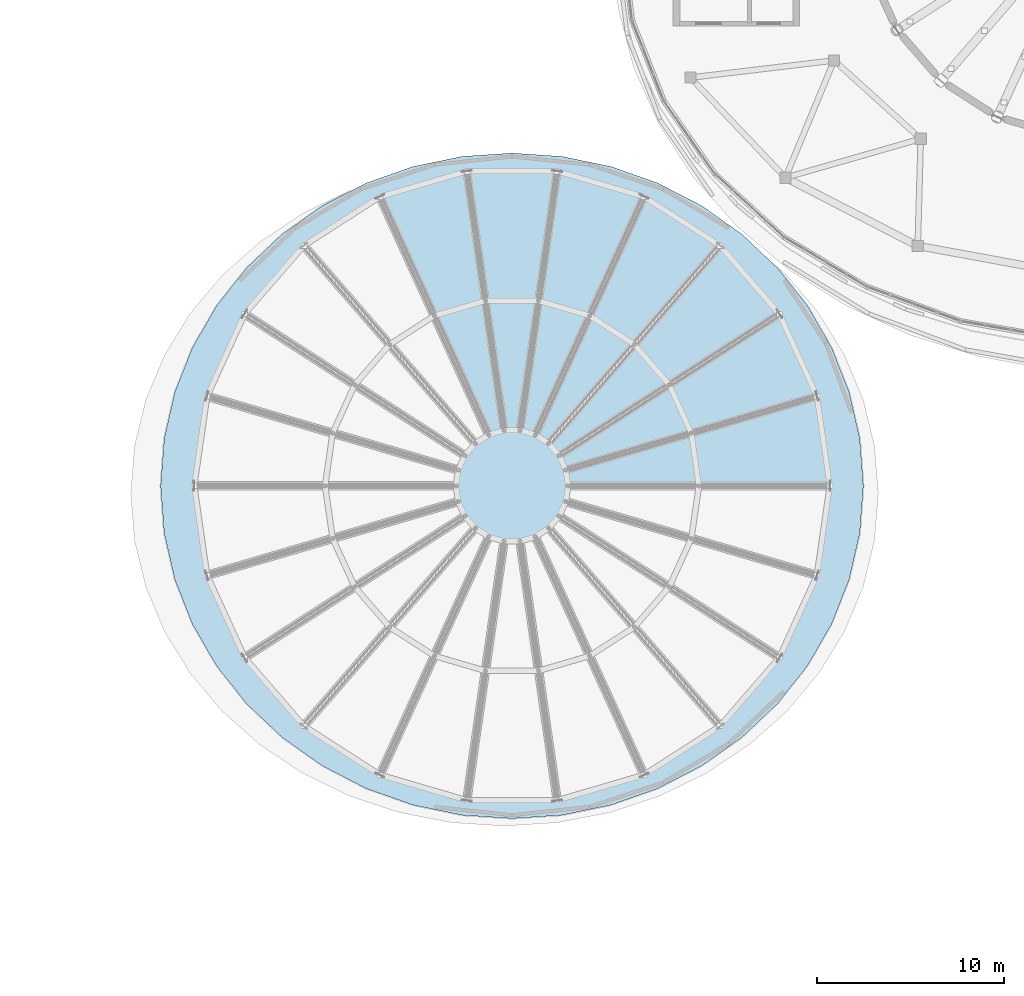
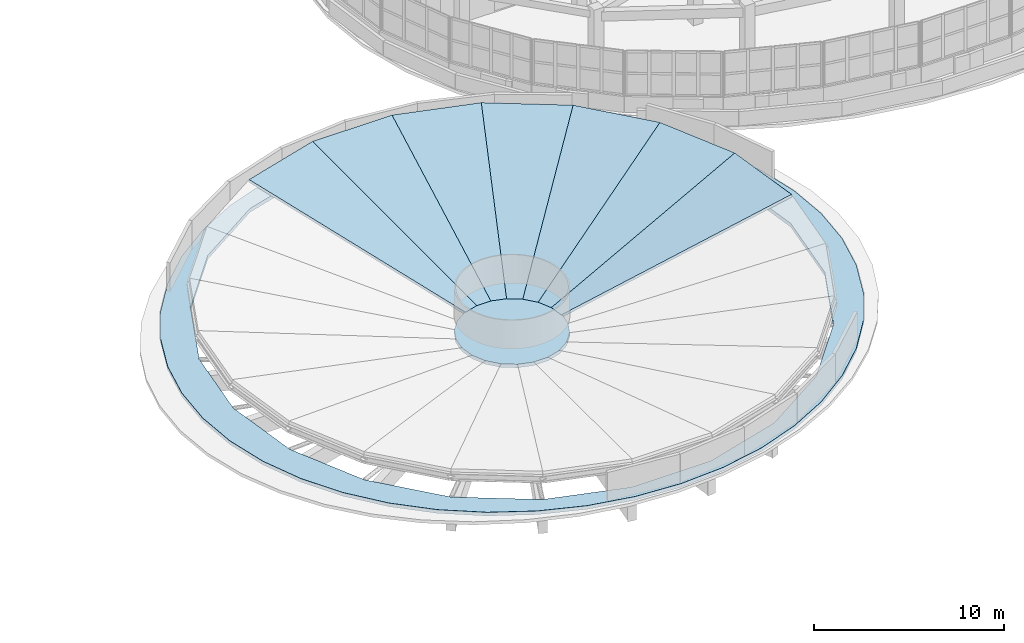
# One storey, part 42 of 69: 9 slabs.
"""IFC4 building model written with IfcOpenShell, lengths in metres."""

from ifc_helpers import new_model, si_unit, direction, frame, origin, place, context, subcontext, project, spatial, polyline, outline, extrude, material, layer, layer_set, type_object, element, save


model = new_model("IFC4")

# Units and contexts
model_context = context("Model", 3, precision=1e-05, world=origin(), true_north=direction((0.0, 1.0)))
body_context = subcontext(model_context, "Body", "Model", "MODEL_VIEW")
ifc_project = project(units=[si_unit("LENGTHUNIT", "METRE"), si_unit("AREAUNIT", "SQUARE_METRE"), si_unit("VOLUMEUNIT", "CUBIC_METRE"), si_unit("PLANEANGLEUNIT", "RADIAN"), si_unit("MASSUNIT", "GRAM", prefix="KILO")], contexts=[model_context])

# Site, building, storey
site_placement = place(None, origin())
site = spatial("IfcSite", under=ifc_project, at=site_placement, CompositionType="ELEMENT")
building_placement = place(site_placement, origin())
building = spatial("IfcBuilding", under=site, at=building_placement, Name="Pelvatis Terrace Science Centre", CompositionType="ELEMENT")
storey_placement = place(building_placement, frame((0.0, 0.0, 15.0)))
storey = spatial("IfcBuildingStorey", under=building, at=storey_placement, Name="L03", CompositionType="ELEMENT", Elevation=15.0)

# Slabs
ifc_material_1 = material(Name="Concrete C35/45", Category="concrete")
ifc_layer_1 = layer(ifc_material_1, 0.18505859375)
ifc_layer_set_1 = layer_set([ifc_layer_1], Name="Concrete C35/45")
slab_type_1 = type_object("IfcSlabType", Name="SLB-BOWL-185", PredefinedType="ROOF", material=ifc_layer_set_1)
slab_1_placement = place(storey_placement, frame((95.0, 54.60009765625, 1.85009765625), z_axis=(-0.199273015171, -0.028657530108, 0.979524890645), x_axis=(-0.142339872814, 0.989817842133, 1.264876e-06)))
element("IfcSlab", 1, at=slab_1_placement, inside=storey, type_object=slab_type_1, Name="Shallow closed bowl roof sector 01", PredefinedType="ROOF", context=body_context, shape_type="SweptSolid", body=[
    extrude(outline(polyline([(0.0, 0.0), (4.838573581625961, -1.1102230246251565e-16), (2.846669320485562, 14.147150534581645), (1.9927546168411934, 14.147114769729844), (0.0, 0.0)])), origin(), (0.0, 0.0, -1.0), 0.18505859375),
])
slab_2_placement = place(storey_placement, frame((94.311279296875, 59.389404296875, 1.85009765625), z_axis=(-0.183130574926, -0.083630492632, 0.979524952836), x_axis=(-0.415391838368, 0.909642578494, 2.971623e-06)))
element("IfcSlab", 2, at=slab_2_placement, inside=storey, type_object=slab_type_1, Name="Shallow closed bowl roof sector 02", PredefinedType="ROOF", context=body_context, shape_type="SweptSolid", body=[
    extrude(outline(polyline([(0.0, 0.0), (4.8388347297227154, 0.0), (2.8459719725735133, 14.147195921904755), (1.9921786660948175, 14.14711189592573), (0.0, 0.0)])), origin(), (0.0, 0.0, -1.0), 0.18505859375),
])
slab_3_placement = place(storey_placement, frame((92.30126953125, 63.791015625, 1.85009765625), z_axis=(-0.152147664185, -0.131839435017, 0.979525115379), x_axis=(-0.654874572609, 0.75573758286, -1.654486e-06)))
element("IfcSlab", 3, at=slab_3_placement, inside=storey, type_object=slab_type_1, Name="Shallow closed bowl roof sector 03", PredefinedType="ROOF", context=body_context, shape_type="SweptSolid", body=[
    extrude(outline(polyline([(0.0, 0.0), (4.838636375481672, 0.0), (2.8463790233930224, 14.147186094482317), (1.9926004094344698, 14.147232875373938), (0.0, 0.0)])), origin(), (0.0, 0.0, -1.0), 0.18505859375),
])
slab_4_placement = place(storey_placement, frame((89.132568359375, 67.44775390625, 1.85009765625), z_axis=(-0.10884023815, -0.16936459714, 0.979525107282), x_axis=(-0.841255782837, 0.540637316357, 2.39048e-06)))
element("IfcSlab", 4, at=slab_4_placement, inside=storey, type_object=slab_type_1, Name="Shallow closed bowl roof sector 04", PredefinedType="ROOF", context=body_context, shape_type="SweptSolid", body=[
    extrude(outline(polyline([(0.0, 0.0), (4.838668582032592, 0.0), (2.846394088771448, 14.147240516284777), (1.99235089196476, 14.14717292154442), (0.0, 0.0)])), origin(), (0.0, 0.0, -1.0), 0.18505859375),
])
slab_5_placement = place(storey_placement, frame((85.06201171875, 70.063720703125, 1.85009765625), z_axis=(-0.056729380653, -0.193164836313, 0.97952494781), x_axis=(-0.959487154602, 0.281752373745, -6.595921e-06)))
element("IfcSlab", 5, at=slab_5_placement, inside=storey, type_object=slab_type_1, Name="Shallow closed bowl roof sector 05", PredefinedType="ROOF", context=body_context, shape_type="SweptSolid", body=[
    extrude(outline(polyline([(0.0, 0.0), (4.83860180344162, 0.0), (2.8459716479110706, 14.147058959281614), (1.9922394105572934, 14.147245456703178), (0.0, 0.0)])), origin(), (0.0, 0.0, -1.0), 0.18505859375),
])
slab_6_placement = place(storey_placement, frame((80.41943359375, 71.427001953125, 1.85009765625), z_axis=(0.0, -0.20132374584, 0.97952475689), x_axis=(-1.0, 0.0, 0.0)))
element("IfcSlab", 6, at=slab_6_placement, inside=storey, type_object=slab_type_1, Name="Shallow closed bowl roof sector 06", PredefinedType="ROOF", context=body_context, shape_type="SweptSolid", body=[
    extrude(outline(polyline([(0.0, 0.0), (4.8388671875, 0.0), (2.846435546875, 14.147086918960305), (1.992431640625, 14.147086918960305), (0.0, 0.0)])), origin(), (0.0, 0.0, -1.0), 0.18505859375),
])
slab_7_placement = place(storey_placement, frame((75.58056640625, 71.427001953125, 1.85009765625), z_axis=(0.056729380653, -0.193164836313, 0.97952494781), x_axis=(-0.959487154602, -0.281752373745, 6.595921e-06)))
element("IfcSlab", 7, at=slab_7_placement, inside=storey, type_object=slab_type_1, Name="Shallow closed bowl roof sector 07", PredefinedType="ROOF", context=body_context, shape_type="SweptSolid", body=[
    extrude(outline(polyline([(0.0, 0.0), (4.83860180344162, 0.0), (2.8463623928843256, 14.147245456703178), (1.9926301555305483, 14.147058959281614), (0.0, 0.0)])), origin(), (0.0, 0.0, -1.0), 0.18505859375),
])
ifc_material_2 = material(Name="Concrete C35/45", Category="concrete")
ifc_layer_2 = layer(ifc_material_2, 0.22412109375)
ifc_layer_set_2 = layer_set([ifc_layer_2], Name="Concrete C35/45")
slab_type_2 = type_object("IfcSlabType", Name="SLB-ROOF-224", PredefinedType="ROOF", material=ifc_layer_set_2)
slab_8_placement = place(storey_placement, frame((0.0, 0.0, -1.221923828125)))
element("IfcSlab", 8, at=slab_8_placement, inside=storey, type_object=slab_type_2, Name="Bowl roof central compression and siphonic drain hub", PredefinedType="ROOF", context=body_context, shape_type="SweptSolid", body=[
    extrude(outline(polyline([(81.050048828125, 54.60009765625), (80.926513671875, 55.459228515625), (80.56591796875, 56.2490234375), (79.997314453125, 56.905029296875), (79.26708984375, 57.37451171875), (78.43408203125, 57.618896484375), (77.56591796875, 57.618896484375), (76.73291015625, 57.37451171875), (76.002685546875, 56.905029296875), (75.43408203125, 56.2490234375), (75.073486328125, 55.459228515625), (74.949951171875, 54.60009765625), (75.073486328125, 53.74072265625), (75.43408203125, 52.950927734375), (76.002685546875, 52.294921875), (76.73291015625, 51.82568359375), (77.56591796875, 51.5810546875), (78.43408203125, 51.5810546875), (79.26708984375, 51.82568359375), (79.997314453125, 52.294921875), (80.56591796875, 52.950927734375), (80.926513671875, 53.74072265625), (81.050048828125, 54.60009765625)])), origin(), (0.0, 0.0, 1.0), 0.223876953125),
])
ifc_material_3 = material(Name="Concrete C35/45", Category="concrete")
ifc_layer_3 = layer(ifc_material_3, 0.236083984375)
ifc_layer_set_3 = layer_set([ifc_layer_3], Name="Concrete C35/45")
slab_type_3 = type_object("IfcSlabType", Name="SLB-ROOF-236", PredefinedType="ROOF", material=ifc_layer_set_3)
slab_9_placement = place(storey_placement, frame((0.0, 0.0, -0.236083984375)))
element("IfcSlab", 9, at=slab_9_placement, inside=storey, type_object=slab_type_3, Name="L03 Natural history bowl outer elliptical collar roof", PredefinedType="ROOF", context=body_context, shape_type="SweptSolid", body=[
    extrude(outline(polyline([(96.03857421875, 49.585205078125), (95.10107421875, 47.20556640625), (93.815673828125, 44.9765625), (92.2080078125, 42.943603515625), (90.311279296875, 41.147705078125), (88.1640625, 39.625732421875), (85.809814453125, 38.40869140625), (83.296630859375, 37.52099609375), (80.675537109375, 36.981201171875), (78.0, 36.800048828125), (75.324462890625, 36.981201171875), (72.703369140625, 37.52099609375), (70.190185546875, 38.40869140625), (67.8359375, 39.625732421875), (65.688720703125, 41.147705078125), (63.7919921875, 42.943603515625), (62.184326171875, 44.9765625), (60.89892578125, 47.20556640625), (59.96142578125, 49.585205078125), (59.391357421875, 52.06689453125), (59.199951171875, 54.60009765625), (59.391357421875, 57.13330078125), (59.96142578125, 59.61474609375), (60.89892578125, 61.994384765625), (62.184326171875, 64.223388671875), (63.7919921875, 66.256591796875), (65.688720703125, 68.05224609375), (67.8359375, 69.57421875), (70.190185546875, 70.79150390625), (72.703369140625, 71.678955078125), (75.324462890625, 72.21875), (78.0, 72.39990234375), (80.675537109375, 72.21875), (83.296630859375, 71.678955078125), (85.809814453125, 70.79150390625), (88.1640625, 69.57421875), (90.311279296875, 68.05224609375), (92.2080078125, 66.256591796875), (93.815673828125, 64.223388671875), (95.10107421875, 61.994384765625), (96.03857421875, 59.61474609375), (96.608642578125, 57.13330078125), (96.800048828125, 54.60009765625), (96.608642578125, 52.06689453125), (96.03857421875, 49.585205078125)]), holes=[polyline([(94.263427734375, 59.37548828125), (92.25927734375, 63.763916015625), (89.099853515625, 67.409912109375), (85.041259765625, 70.018310546875), (80.412109375, 71.37744140625), (75.587890625, 71.37744140625), (70.958740234375, 70.018310546875), (66.900146484375, 67.409912109375), (63.74072265625, 63.763916015625), (61.736572265625, 59.37548828125), (61.050048828125, 54.60009765625), (61.736572265625, 49.82470703125), (63.74072265625, 45.43603515625), (66.900146484375, 41.7900390625), (70.958740234375, 39.181640625), (75.587890625, 37.822509765625), (80.412109375, 37.822509765625), (85.041259765625, 39.181640625), (89.099853515625, 41.7900390625), (92.25927734375, 45.43603515625), (94.263427734375, 49.82470703125), (94.949951171875, 54.60009765625), (94.263427734375, 59.37548828125)])]), origin(), (0.0, 0.0, 1.0), 0.236083984375),
])

save(model, "model.ifc")
